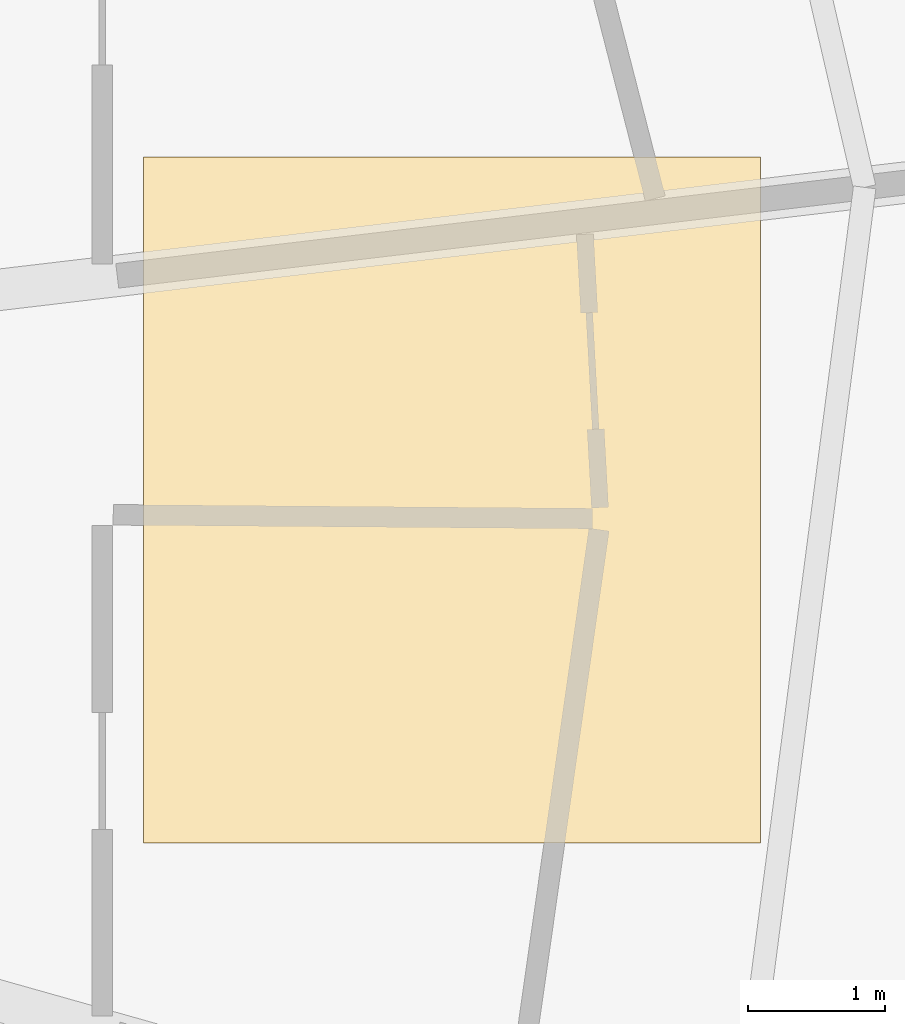
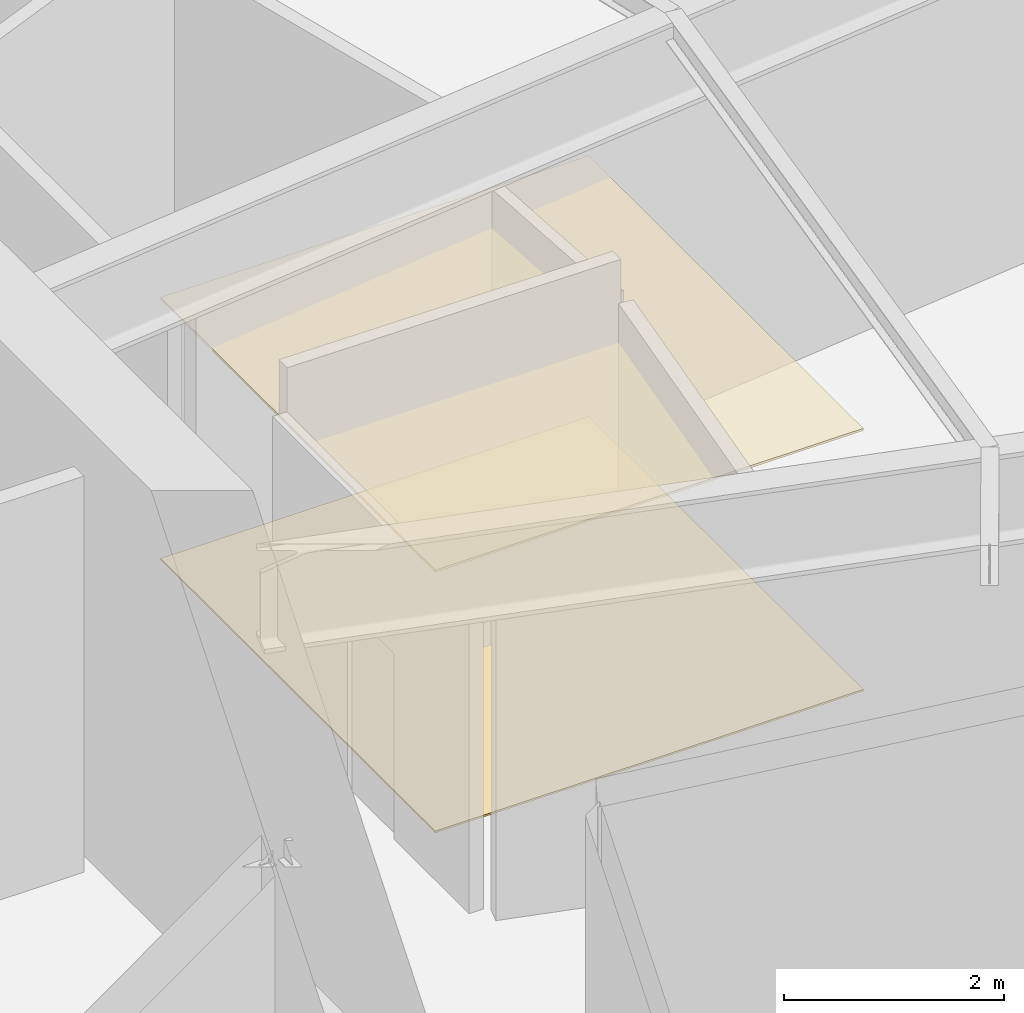
# One storey, part 15 of 16: 2 coverings.
"""IFC4 building model written with IfcOpenShell, lengths in metres."""

import ifcopenshell
import ifcopenshell.guid

model = None  # the IFC model being written
_history = None  # IfcOwnerHistory: only IFC2X3 demands one
_inside = {}  # id of a spatial element -> (the spatial element, [elements in it])
_under = {}  # id of a project, library or spatial element -> (it, [spatial elements below it])
_declared = {}  # id of a project -> (the project, [libraries it declares])
_typed = {}  # id of a type object -> (the type object, [elements of that type])
_made_of = {}  # id of a material, layer set ... -> (it, [elements and type objects made of it])


def new_model(schema):
    """Start an empty IFC model of exactly this schema.

    Asked for "IFC4X3", IfcOpenShell would pick the latest addendum, in which some entities
    have other attributes; the version numbers below select the first issue.
    IFC2X3 requires an IfcOwnerHistory on every rooted entity: one is made here for all.
    """
    global model, _history
    if schema == "IFC4X3":
        model = ifcopenshell.file(schema_version=(4, 3, 0, 0))
    else:
        model = ifcopenshell.file(schema=schema)
    _inside.clear()
    _under.clear()
    _declared.clear()
    _typed.clear()
    _made_of.clear()
    _history = None
    if model.schema == "IFC2X3":
        org = make("IfcOrganization", Name="unknown")
        user = make(
            "IfcPersonAndOrganization",
            ThePerson=make("IfcPerson", FamilyName="unknown"),
            TheOrganization=org,
        )
        app = make(
            "IfcApplication",
            ApplicationDeveloper=org,
            Version="unknown",
            ApplicationFullName="unknown",
            ApplicationIdentifier="unknown",
        )
        _history = make(
            "IfcOwnerHistory",
            OwningUser=user,
            OwningApplication=app,
            ChangeAction="ADDED",
            CreationDate=0,
        )
    return model


def make(cls, **values):
    """One entity of the class cls with the attributes given. An attribute that is None is left unset."""
    return model.create_entity(
        cls, **{name: value for name, value in values.items() if value is not None}
    )


def rooted(cls, **values):
    """An entity with a GlobalId (a new one), such as an element, a storey or a relation."""
    return make(cls, GlobalId=ifcopenshell.guid.new(), OwnerHistory=_history, **values)


def si_unit(unit_type, name, prefix=None):
    """IfcSIUnit, for example si_unit("LENGTHUNIT", "METRE", prefix="MILLI")."""
    return make("IfcSIUnit", UnitType=unit_type, Prefix=prefix, Name=name)


def assignment(units):
    """IfcUnitAssignment: the units of a project."""
    return None if units is None else make("IfcUnitAssignment", Units=units)


def point(xyz):
    """IfcCartesianPoint."""
    return None if xyz is None else make("IfcCartesianPoint", Coordinates=xyz)


def direction(xyz):
    """IfcDirection."""
    return None if xyz is None else make("IfcDirection", DirectionRatios=xyz)


def frame(location, z_axis=None, x_axis=None):
    """IfcAxis2Placement3D, a coordinate frame: its origin and axes. An axis left out is left unset."""
    return make(
        "IfcAxis2Placement3D",
        Location=point(location),
        Axis=direction(z_axis),
        RefDirection=direction(x_axis),
    )


def origin():
    """The frame at (0, 0, 0) with its axes left unset."""
    return frame((0.0, 0.0, 0.0))


def place(relative_to, where):
    """IfcLocalPlacement: puts the frame where relative to a parent placement (None: the world)."""
    return make(
        "IfcLocalPlacement", PlacementRelTo=relative_to, RelativePlacement=where
    )


def context(
    kind, dimensions, precision=None, world=None, true_north=None, identifier=None
):
    """IfcGeometricRepresentationContext, for example the 3D "Model" context."""
    return make(
        "IfcGeometricRepresentationContext",
        ContextIdentifier=identifier,
        ContextType=kind,
        CoordinateSpaceDimension=dimensions,
        Precision=precision,
        WorldCoordinateSystem=world,
        TrueNorth=true_north,
    )


def subcontext(parent, identifier, kind, view, scale=None):
    """IfcGeometricRepresentationSubContext, for example "Body" below "Model"."""
    return make(
        "IfcGeometricRepresentationSubContext",
        ContextIdentifier=identifier,
        ContextType=kind,
        ParentContext=parent,
        TargetScale=scale,
        TargetView=view,
    )


def project(units=None, contexts=None):
    """IfcProject with its units and contexts."""
    return rooted(
        "IfcProject",
        Name="project",
        RepresentationContexts=contexts,
        UnitsInContext=assignment(units),
    )


def spatial(cls, under=None, at=None, **own):
    """A site, building, storey or space (cls), placed at a placement, below another one or the project."""
    s = rooted(cls, ObjectPlacement=at, **own)
    if under is not None:
        _under.setdefault(under.id(), (under, []))[1].append(s)
    return s


def polyline(points):
    """IfcPolyline through the points."""
    return make("IfcPolyline", Points=[point(p) for p in points])


def outline(outer, holes=None, kind="AREA"):
    """IfcArbitraryClosedProfileDef: a profile drawn as a closed curve; with holes, ...WithVoids."""
    if holes is None:
        return make("IfcArbitraryClosedProfileDef", ProfileType=kind, OuterCurve=outer)
    return make(
        "IfcArbitraryProfileDefWithVoids",
        ProfileType=kind,
        OuterCurve=outer,
        InnerCurves=holes,
    )


def extrude(swept, where, along, depth):
    """IfcExtrudedAreaSolid: the profile swept, set in the frame where, extruded along a direction by depth."""
    return make(
        "IfcExtrudedAreaSolid",
        SweptArea=swept,
        Position=where,
        ExtrudedDirection=direction(along),
        Depth=depth,
    )


def shape(context_of_items, identifier, shape_type, items):
    """IfcShapeRepresentation: the items that make up one representation, for example the "Body"."""
    return make(
        "IfcShapeRepresentation",
        ContextOfItems=context_of_items,
        RepresentationIdentifier=identifier,
        RepresentationType=shape_type,
        Items=items,
    )


def material(Name=None, Category=None):
    """IfcMaterial."""
    return make("IfcMaterial", Name=Name, Category=Category)


def layer(
    of_material, thickness, ventilated=None, Name=None, Category=None, Priority=None
):
    """IfcMaterialLayer: one layer of a wall or slab, of a material (None: an air gap)."""
    return make(
        "IfcMaterialLayer",
        Material=of_material,
        LayerThickness=thickness,
        IsVentilated=ventilated,
        Name=Name,
        Category=Category,
        Priority=Priority,
    )


def layer_set(layers, Name=None):
    """IfcMaterialLayerSet."""
    return make("IfcMaterialLayerSet", MaterialLayers=layers, LayerSetName=Name)


def made_of(thing, what):
    """Note that an element or type object is made of a material, layer set ...; save() writes the relation."""
    if what is not None:
        _made_of.setdefault(what.id(), (what, []))[1].append(thing)
    return thing


def type_object(cls, material=None, **own):
    """A type object (cls), such as IfcWallType, which elements share."""
    return made_of(rooted(cls, **own), material)


def element(
    cls,
    number,
    at=None,
    inside=None,
    cuts=None,
    type_object=None,
    material=None,
    context=None,
    identifier="Body",
    shape_type=None,
    held_by="IfcProductDefinitionShape",
    body=None,
    shapes=None,
    **own,
):
    """One element of the class cls, such as IfcWall. Its Tag is "e" and its number.

    at: its placement. inside: the storey or other place that contains it. cuts: it is an
    opening in that element (IfcRelVoidsElement). A single representation is given by context,
    identifier, shape_type and body (its items); several are given by shapes. held_by: the class
    of the entity that holds the representations. save() writes the other relations.
    """
    e = rooted(cls, Tag="e%d" % number, ObjectPlacement=at, **own)
    if body is not None:
        shapes = [shape(context, identifier, shape_type, body)]
    if shapes is not None:
        e.Representation = make(held_by, Representations=shapes)
    if inside is not None:
        _inside.setdefault(inside.id(), (inside, []))[1].append(e)
    if cuts is not None:
        rooted(
            "IfcRelVoidsElement", RelatingBuildingElement=cuts, RelatedOpeningElement=e
        )
    if type_object is not None:
        _typed.setdefault(type_object.id(), (type_object, []))[1].append(e)
    return made_of(e, material)


def aggregate(whole, parts):
    """IfcRelAggregates: a whole, such as a stair, and the parts it consists of."""
    return rooted("IfcRelAggregates", RelatingObject=whole, RelatedObjects=parts)


def save(model, path):
    """Write the relations noted so far, then the file.

    IfcRelAggregates (storeys below a building ...), IfcRelContainedInSpatialStructure (elements
    in a storey), IfcRelDefinesByType, IfcRelAssociatesMaterial and IfcRelDeclares: one each for
    every whole, place, type object, material and project.
    """
    for whole, parts in _under.values():
        aggregate(whole, parts)
    for where, things in _inside.values():
        rooted(
            "IfcRelContainedInSpatialStructure",
            RelatedElements=things,
            RelatingStructure=where,
        )
    for kind, things in _typed.values():
        rooted("IfcRelDefinesByType", RelatedObjects=things, RelatingType=kind)
    for what, things in _made_of.values():
        rooted("IfcRelAssociatesMaterial", RelatedObjects=things, RelatingMaterial=what)
    for by, libraries in _declared.values():
        rooted("IfcRelDeclares", RelatingContext=by, RelatedDefinitions=libraries)
    model.write(path)


model = new_model("IFC4")

# Units and contexts
model_context = context("Model", 3, precision=1e-05, world=origin(), true_north=direction((0.0, 1.0)))
body_context = subcontext(model_context, "Body", "Model", "MODEL_VIEW")
ifc_project = project(units=[si_unit("LENGTHUNIT", "METRE"), si_unit("AREAUNIT", "SQUARE_METRE"), si_unit("VOLUMEUNIT", "CUBIC_METRE"), si_unit("PLANEANGLEUNIT", "RADIAN"), si_unit("MASSUNIT", "GRAM", prefix="KILO")], contexts=[model_context])

# Site, building, storey
site_placement = place(None, origin())
site = spatial("IfcSite", under=ifc_project, at=site_placement, CompositionType="ELEMENT")
building_placement = place(site_placement, origin())
building = spatial("IfcBuilding", under=site, at=building_placement, Name="Kazma Halo Residences", CompositionType="ELEMENT")
storey_placement = place(building_placement, frame((0.0, 0.0, 123.0)))
storey = spatial("IfcBuildingStorey", under=building, at=storey_placement, Name="L30", CompositionType="ELEMENT", Elevation=123.0)

# Coverings
ifc_material_1 = material(Name="Perforated Gypsum Acoustic Ceiling")
ifc_layer_1 = layer(ifc_material_1, 0.02490234375)
ifc_layer_set_1 = layer_set([ifc_layer_1], Name="Perforated Gypsum Acoustic Ceiling")
covering_type_1 = type_object("IfcCoveringType", Name="COV-CEIL-ACOUSTIC", PredefinedType="CEILING", material=ifc_layer_set_1)
covering_1_placement = place(storey_placement, frame((0.0, 0.0, 2.89501953125)))
element("IfcCovering", 1, at=covering_1_placement, inside=storey, type_object=covering_type_1, Name="L30 amenity acoustic ceiling", PredefinedType="CEILING", context=body_context, shape_type="SweptSolid", body=[
    extrude(outline(polyline([(62.0, 39.5), (66.5, 39.5), (66.5, 44.5), (62.0, 44.5), (62.0, 39.5)])), origin(), (0.0, 0.0, 1.0), 0.02490234375),
])
ifc_material_2 = material(Name="Polished Limestone Terrazzo Flooring", Category="masonry")
ifc_layer_2 = layer(ifc_material_2, 0.02001953125)
ifc_layer_set_2 = layer_set([ifc_layer_2], Name="Polished Limestone Terrazzo Flooring")
covering_type_2 = type_object("IfcCoveringType", Name="COV-FLR-TERRAZZO", PredefinedType="FLOORING", material=ifc_layer_set_2)
covering_2_placement = place(storey_placement, origin())
element("IfcCovering", 2, at=covering_2_placement, inside=storey, type_object=covering_type_2, Name="L30 amenity terrazzo floor finish", PredefinedType="FLOORING", context=body_context, shape_type="SweptSolid", body=[
    extrude(outline(polyline([(62.0, 39.5), (66.5, 39.5), (66.5, 44.5), (62.0, 44.5), (62.0, 39.5)])), origin(), (0.0, 0.0, 1.0), 0.02001953125),
])

save(model, "model.ifc")
